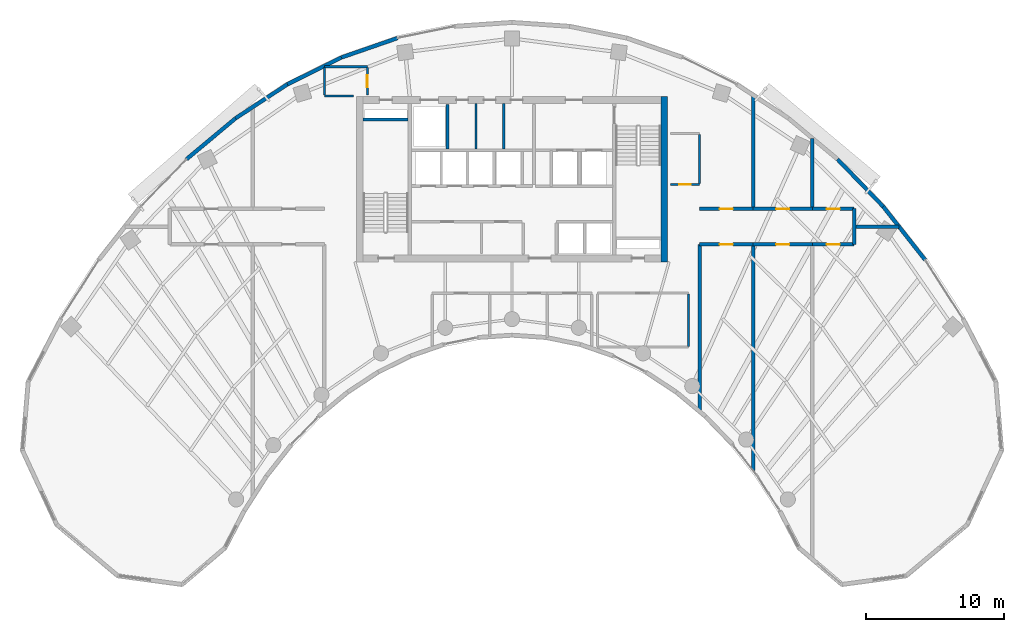
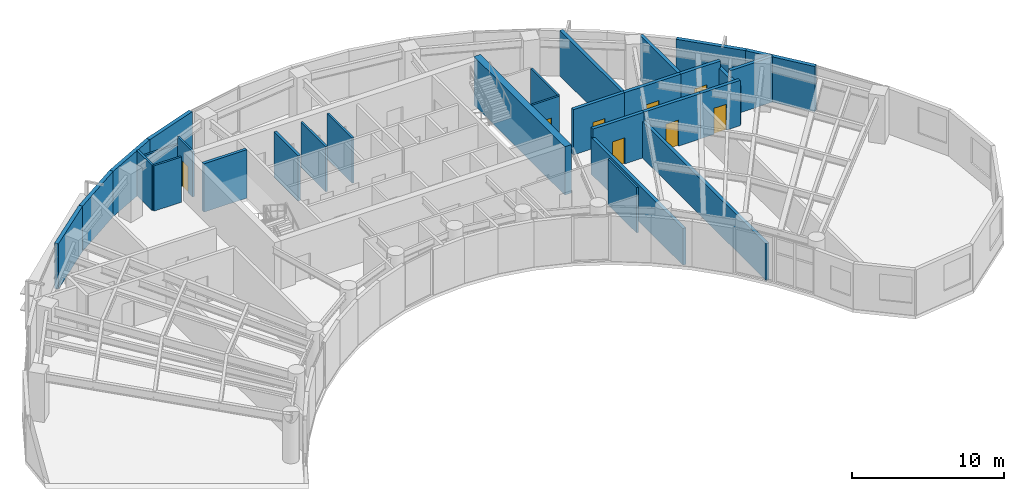
# One storey, part 10 of 14: 30 walls, 8 doors, 8 openings.
"""IFC4 building model written with IfcOpenShell, lengths in metres."""

from ifc_helpers import new_model, si_unit, direction, frame, frame_2d, origin, place, context, subcontext, project, spatial, rectangle, extrude, source, transform, mapped, material, layer, layer_set, type_object, type_shapes, element, fill, save


model = new_model("IFC4")

# Units and contexts
model_context = context("Model", 3, precision=1e-05, world=origin(), true_north=direction((0.0, 1.0)))
body_context = subcontext(model_context, "Body", "Model", "MODEL_VIEW")
ifc_project = project(units=[si_unit("LENGTHUNIT", "METRE"), si_unit("AREAUNIT", "SQUARE_METRE"), si_unit("VOLUMEUNIT", "CUBIC_METRE"), si_unit("PLANEANGLEUNIT", "RADIAN"), si_unit("MASSUNIT", "GRAM", prefix="KILO")], contexts=[model_context])

# Site, building, storey
site_placement = place(None, origin())
site = spatial("IfcSite", under=ifc_project, at=site_placement, CompositionType="ELEMENT")
building_placement = place(site_placement, origin())
building = spatial("IfcBuilding", under=site, at=building_placement, Name="Breltana Convention Tower", CompositionType="ELEMENT")
storey_placement = place(building_placement, frame((0.0, 0.0, 177.89990234375)))
storey = spatial("IfcBuildingStorey", under=building, at=storey_placement, Name="L43", CompositionType="ELEMENT", Elevation=177.89990234375)

# Walls
ifc_material_1 = material(Name="Concrete C60/75", Category="concrete")
ifc_layer_1 = layer(ifc_material_1, 0.5, Name="Concrete C60/75")
ifc_layer_set_1 = layer_set([ifc_layer_1], Name="Concrete C60/75")
wall_type_1 = type_object("IfcWallType", Name="SW-CORE-500", PredefinedType="SHEAR", material=ifc_layer_set_1)
shared_shape_1 = source(origin(), body_context, "Body", "SweptSolid", [
    extrude(rectangle(XDim=12.0, YDim=0.5, at=frame_2d((6.0, 0.0))), origin(), (0.0, 0.0, 1.0), 3.900146484375),
])
wall_1_placement = place(storey_placement, frame((59.050048828125, 60.199951171875, 0.0), z_axis=(0.0, 0.0, 1.0), x_axis=(0.0, 1.0, 0.0)))
element("IfcWall", 1, at=wall_1_placement, inside=storey, type_object=wall_type_1, Name="L43 East Core Shear Wall", PredefinedType="SHEAR", context=body_context, shape_type="MappedRepresentation", body=[
    mapped(shared_shape_1, transform((0.0, 0.0, 0.0), scale=1.0)),
])
ifc_material_2 = material(Name="Concrete C50/60", Category="concrete")
ifc_layer_2 = layer(ifc_material_2, 0.39990234375, Name="Concrete C50/60")
ifc_layer_set_2 = layer_set([ifc_layer_2], Name="Concrete C50/60")
wall_type_2 = type_object("IfcWallType", Name="SW-CORE-400", PredefinedType="SHEAR", material=ifc_layer_set_2)
shared_shape_2 = source(origin(), body_context, "Body", "SweptSolid", [
    extrude(rectangle(XDim=3.27001953125, YDim=0.219970703125, at=frame_2d((1.635009765625, 0.0))), origin(), (0.0, 0.0, 1.0), 3.900146484375),
])
wall_2_placement = place(storey_placement, frame((37.199951171875, 70.510009765625, 0.0), z_axis=(0.0, 0.0, 1.0), x_axis=(1.0, 0.0, 0.0)))
element("IfcWall", 2, at=wall_2_placement, inside=storey, type_object=wall_type_2, Name="L43 ST-1 Stairwell North Bearing Wall", PredefinedType="SHEAR", context=body_context, shape_type="MappedRepresentation", body=[
    mapped(shared_shape_2, transform((0.0, 0.0, 0.0), scale=1.0)),
])
ifc_material_3 = material(Name="Limestone Buff Insulated Wall", Category="masonry")
ifc_layer_3 = layer(ifc_material_3, 0.280029296875, Name="Limestone Buff Insulated Wall")
ifc_layer_set_3 = layer_set([ifc_layer_3], Name="Limestone Buff Insulated Wall")
wall_type_3 = type_object("IfcWallType", Name="WL-EXT-NOSE-280", PredefinedType="SOLIDWALL", material=ifc_layer_set_3)
shared_shape_3 = source(origin(), body_context, "Body", "SweptSolid", [
    extrude(rectangle(XDim=4.921630859375, YDim=0.280029296875, at=frame_2d((2.4609375, 0.0))), origin(), (0.0, 0.0, 1.0), 3.650146484375),
])
wall_3_placement = place(storey_placement, frame((74.936279296875, 64.206298828125, 0.0), z_axis=(0.0, 0.0, 1.0), x_axis=(0.61817639101, -0.786039407153, 0.0)))
element("IfcWall", 3, at=wall_3_placement, inside=storey, type_object=wall_type_3, Name="L43 curved limestone nose wall E32", PredefinedType="SOLIDWALL", context=body_context, shape_type="MappedRepresentation", body=[
    mapped(shared_shape_3, transform((0.0, 0.0, 0.0), scale=1.0)),
])
shared_shape_4 = source(origin(), body_context, "Body", "SweptSolid", [
    extrude(rectangle(XDim=4.77587890625, YDim=0.280029296875, at=frame_2d((2.387939453125, 0.0))), origin(), (0.0, 0.0, 1.0), 3.650146484375),
])
wall_4_placement = place(storey_placement, frame((71.618896484375, 67.64208984375, 0.0), z_axis=(0.0, 0.0, 1.0), x_axis=(0.694601811851, -0.719394414055, 0.0)))
element("IfcWall", 4, at=wall_4_placement, inside=storey, type_object=wall_type_3, Name="L43 curved limestone nose wall E31", PredefinedType="SOLIDWALL", context=body_context, shape_type="MappedRepresentation", body=[
    mapped(shared_shape_4, transform((0.0, 0.0, 0.0), scale=1.0)),
])
shared_shape_5 = source(origin(), body_context, "Body", "SweptSolid", [
    extrude(rectangle(XDim=4.633544921875, YDim=0.280029296875, at=frame_2d((2.31689453125, 0.0))), origin(), (0.0, 0.0, 1.0), 3.650146484375),
])
wall_5_placement = place(storey_placement, frame((24.381103515625, 67.64208984375, 0.0), z_axis=(0.0, 0.0, 1.0), x_axis=(0.767910229096, 0.640557475993, 0.0)))
element("IfcWall", 5, at=wall_5_placement, inside=storey, type_object=wall_type_3, Name="L43 curved limestone nose wall E21", PredefinedType="SOLIDWALL", context=body_context, shape_type="MappedRepresentation", body=[
    mapped(shared_shape_5, transform((0.0, 0.0, 0.0), scale=1.0)),
])
shared_shape_6 = source(origin(), body_context, "Body", "SweptSolid", [
    extrude(rectangle(XDim=4.500732421875, YDim=0.280029296875, at=frame_2d((2.25048828125, 0.0))), origin(), (0.0, 0.0, 1.0), 3.650146484375),
])
wall_6_placement = place(storey_placement, frame((27.939208984375, 70.610107421875, 0.0), z_axis=(0.0, 0.0, 1.0), x_axis=(0.835984920737, 0.548752414391, 0.0)))
element("IfcWall", 6, at=wall_6_placement, inside=storey, type_object=wall_type_3, Name="L43 curved limestone nose wall E22", PredefinedType="SOLIDWALL", context=body_context, shape_type="MappedRepresentation", body=[
    mapped(shared_shape_6, transform((0.0, 0.0, 0.0), scale=1.0)),
])
shared_shape_7 = source(origin(), body_context, "Body", "SweptSolid", [
    extrude(rectangle(XDim=4.289794921875, YDim=0.280029296875, at=frame_2d((2.14501953125, 0.0))), origin(), (0.0, 0.0, 1.0), 3.650146484375),
])
wall_7_placement = place(storey_placement, frame((35.629638671875, 75.02685546875, 0.0), z_axis=(0.0, 0.0, 1.0), x_axis=(0.944883859218, 0.3274057003, 0.0)))
element("IfcWall", 7, at=wall_7_placement, inside=storey, type_object=wall_type_3, Name="L43 curved limestone nose wall E24", PredefinedType="SOLIDWALL", context=body_context, shape_type="MappedRepresentation", body=[
    mapped(shared_shape_7, transform((0.0, 0.0, 0.0), scale=1.0)),
])
shared_shape_8 = source(origin(), body_context, "Body", "SweptSolid", [
    extrude(rectangle(XDim=4.384033203125, YDim=0.280029296875, at=frame_2d((2.19189453125, 0.0))), origin(), (0.0, 0.0, 1.0), 3.650146484375),
])
wall_8_placement = place(storey_placement, frame((31.70166015625, 73.079833984375, 0.0), z_axis=(0.0, 0.0, 1.0), x_axis=(0.895969968053, 0.444114643248, 0.0)))
element("IfcWall", 8, at=wall_8_placement, inside=storey, type_object=wall_type_3, Name="L43 curved limestone nose wall E23", PredefinedType="SOLIDWALL", context=body_context, shape_type="MappedRepresentation", body=[
    mapped(shared_shape_8, transform((0.0, 0.0, 0.0), scale=1.0)),
])
ifc_material_4 = material(Name="Autoclaved Aerated Concrete Block", Category="concrete")
ifc_layer_4 = layer(ifc_material_4, 0.199951171875, Name="Autoclaved Aerated Concrete Block")
ifc_layer_set_4 = layer_set([ifc_layer_4], Name="Autoclaved Aerated Concrete Block")
wall_type_4 = type_object("IfcWallType", Name="WL-SHAFT-200", PredefinedType="SOLIDWALL", material=ifc_layer_set_4)
shared_shape_9 = source(origin(), body_context, "Body", "SweptSolid", [
    extrude(rectangle(XDim=3.2001953125, YDim=0.199951171875, at=frame_2d((1.60009765625, 0.0))), origin(), (0.0, 0.0, 1.0), 3.650146484375),
])
wall_9_placement = place(storey_placement, frame((43.320068359375, 68.39990234375, 0.0), z_axis=(0.0, 0.0, 1.0), x_axis=(0.0, 1.0, 0.0)))
element("IfcWall", 9, at=wall_9_placement, inside=storey, type_object=wall_type_4, Name="L43 interior partition W-L43-SV-E", PredefinedType="SOLIDWALL", context=body_context, shape_type="MappedRepresentation", body=[
    mapped(shared_shape_9, transform((0.0, 0.0, 0.0), scale=1.0)),
])
ifc_material_5 = material(Name="Gypsum Acoustic Drywall Partition")
ifc_layer_5 = layer(ifc_material_5, 0.14990234375, Name="Gypsum Acoustic Drywall Partition")
ifc_layer_set_5 = layer_set([ifc_layer_5], Name="Gypsum Acoustic Drywall Partition")
wall_type_5 = type_object("IfcWallType", Name="WL-PART-150", PredefinedType="PARTITIONING", material=ifc_layer_set_5)
shared_shape_10 = source(origin(), body_context, "Body", "SweptSolid", [
    extrude(rectangle(XDim=3.78515625, YDim=0.14990234375, at=frame_2d((1.892578125, 0.0))), origin(), (0.0, 0.0, 1.0), 3.650146484375),
])
wall_10_placement = place(storey_placement, frame((60.800048828125, 54.0673828125, 0.0), z_axis=(0.0, 0.0, 1.0), x_axis=(0.0, 1.0, 0.0)))
element("IfcWall", 10, at=wall_10_placement, inside=storey, type_object=wall_type_5, Name="L43 interior partition W-L43-PNT-E", PredefinedType="PARTITIONING", context=body_context, shape_type="MappedRepresentation", body=[
    mapped(shared_shape_10, transform((0.0, 0.0, 0.0), scale=1.0)),
])
shared_shape_11 = source(origin(), body_context, "Body", "SweptSolid", [
    extrude(rectangle(XDim=3.280029296875, YDim=0.14990234375, at=frame_2d((1.64013671875, 0.0))), origin(), (0.0, 0.0, 1.0), 3.650146484375),
])
for number, where, z_axis, x_axis, name in (
    (11, (45.39990234375, 68.39990234375, 0.0), (0.0, 0.0, 1.0), (0.0, 1.0, 0.0), "L43 interior partition W-L43-KV-1"),
    (12, (47.39990234375, 68.39990234375, 0.0), (0.0, 0.0, 1.0), (0.0, 1.0, 0.0), "L43 interior partition W-L43-KV-2"),
):
    element("IfcWall", number, at=place(storey_placement, frame(where, z_axis=z_axis, x_axis=x_axis)), inside=storey, type_object=wall_type_5, Name=name, PredefinedType="PARTITIONING", context=body_context, shape_type="MappedRepresentation", body=[
        mapped(shared_shape_11, transform((0.0, 0.0, 0.0), scale=1.0)),
    ])
shared_shape_12 = source(origin(), body_context, "Body", "SweptSolid", [
    extrude(rectangle(XDim=2.10009765625, YDim=0.14990234375, at=frame_2d((1.050048828125, 0.0))), origin(), (0.0, 0.0, 1.0), 3.650146484375),
])
wall_11_placement = place(storey_placement, frame((34.39990234375, 72.219970703125, 0.0), z_axis=(0.0, 0.0, 1.0), x_axis=(1.0, 0.0, 0.0)))
element("IfcWall", 13, at=wall_11_placement, inside=storey, type_object=wall_type_5, Name="L43 interior partition W-L43-CRNE-S", PredefinedType="PARTITIONING", context=body_context, shape_type="MappedRepresentation", body=[
    mapped(shared_shape_12, transform((0.0, 0.0, 0.0), scale=1.0)),
])

# Wall, opening, door
wall_12_placement = place(storey_placement, frame((59.5, 65.800048828125, 0.0), z_axis=(0.0, 0.0, 1.0), x_axis=(1.0, 0.0, 0.0)))
wall_12 = element("IfcWall", 14, at=wall_12_placement, inside=storey, type_object=wall_type_5, Name="L43 interior partition W-L43-CRSE-S", PredefinedType="PARTITIONING", context=body_context, shape_type="MappedRepresentation", body=[
    mapped(shared_shape_12, transform((0.0, 0.0, 0.0), scale=1.0)),
])
opening_1_placement = place(wall_12_placement, frame((0.625, 0.0, 0.0)))
opening_1 = element("IfcOpeningElement", 15, at=opening_1_placement, cuts=wall_12, Name="Opening D-20", PredefinedType="OPENING", context=body_context, shape_type="SweptSolid", body=[
    extrude(rectangle(XDim=0.85009765625, YDim=2.10009765625, at=frame_2d((0.425048828125, 1.050048828125))), frame((0.0, 0.0849609375, 0.0), z_axis=(0.0, -1.0, 0.0), x_axis=(1.0, 0.0, 0.0)), (0.0, 0.0, 1.0), 0.169921875),
])
ifc_material_6 = material(Name="Steel Closet Fire Door", Category="steel")
door_type_1 = type_object("IfcDoorType", Name="DR-FD60-850", OperationType="NOTDEFINED", PredefinedType="DOOR", material=ifc_material_6)
shared_shape_13 = source(origin(), body_context, "Body", "SweptSolid", [
    extrude(rectangle(XDim=0.85009765625, YDim=2.10009765625, at=frame_2d((0.425048828125, 1.050048828125))), frame((0.0, 0.02490234375, 0.0), z_axis=(0.0, -1.0, 0.0), x_axis=(1.0, 0.0, 0.0)), (0.0, 0.0, 1.0), 0.050048828125),
])
type_shapes(door_type_1, [shared_shape_13])
door_1_placement = place(opening_1_placement, origin())
door_1 = element("IfcDoor", 16, at=door_1_placement, inside=storey, type_object=door_type_1, Name="L43 interior door D-L43-CRSE", OperationType="SINGLE_SWING_LEFT", OverallHeight=2.10009765625, OverallWidth=0.85009765625, PredefinedType="DOOR", context=body_context, shape_type="MappedRepresentation", body=[
    mapped(shared_shape_13, transform((0.0, 0.0, 0.0), scale=1.0)),
])
fill(opening_1, door_1)

# Wall
shared_shape_14 = source(origin(), body_context, "Body", "SweptSolid", [
    extrude(rectangle(XDim=1.994873046875, YDim=0.14990234375, at=frame_2d((0.99755859375, 0.0))), origin(), (0.0, 0.0, 1.0), 3.650146484375),
])
wall_13_placement = place(storey_placement, frame((34.39990234375, 72.28759765625, 0.0), z_axis=(0.0, 0.0, 1.0), x_axis=(0.0, 1.0, 0.0)))
element("IfcWall", 17, at=wall_13_placement, inside=storey, type_object=wall_type_5, Name="L43 interior partition W-L43-CRNE-W", PredefinedType="PARTITIONING", context=body_context, shape_type="MappedRepresentation", body=[
    mapped(shared_shape_14, transform((0.0, 0.0, 0.0), scale=1.0)),
])

# Wall, opening, door
shared_shape_15 = source(origin(), body_context, "Body", "SweptSolid", [
    extrude(rectangle(XDim=1.982421875, YDim=0.14990234375, at=frame_2d((0.9912109375, 0.0))), origin(), (0.0, 0.0, 1.0), 3.650146484375),
])
wall_14_placement = place(storey_placement, frame((37.5, 72.300048828125, 0.0), z_axis=(0.0, 0.0, 1.0), x_axis=(0.0, 1.0, 0.0)))
wall_14 = element("IfcWall", 18, at=wall_14_placement, inside=storey, type_object=wall_type_5, Name="L43 interior partition W-L43-CRNE-E", PredefinedType="PARTITIONING", context=body_context, shape_type="MappedRepresentation", body=[
    mapped(shared_shape_15, transform((0.0, 0.0, 0.0), scale=1.0)),
])
opening_2_placement = place(wall_14_placement, frame((0.56640625, 0.0, 0.0)))
opening_2 = element("IfcOpeningElement", 19, at=opening_2_placement, cuts=wall_14, Name="Opening D-20", PredefinedType="OPENING", context=body_context, shape_type="SweptSolid", body=[
    extrude(rectangle(XDim=0.85009765625, YDim=2.10009765625, at=frame_2d((0.425048828125, 1.050048828125))), frame((0.0, 0.0849609375, 0.0), z_axis=(0.0, -1.0, 0.0), x_axis=(1.0, 0.0, 0.0)), (0.0, 0.0, 1.0), 0.169921875),
])
door_2_placement = place(opening_2_placement, origin())
door_2 = element("IfcDoor", 20, at=door_2_placement, inside=storey, type_object=door_type_1, Name="L43 interior door D-L43-CRNE", OperationType="SINGLE_SWING_RIGHT", OverallHeight=2.10009765625, OverallWidth=0.85009765625, PredefinedType="DOOR", context=body_context, shape_type="MappedRepresentation", body=[
    mapped(shared_shape_13, transform((0.0, 0.0, 0.0), scale=1.0)),
])
fill(opening_2, door_2)

# Walls
shared_shape_16 = source(origin(), body_context, "Body", "SweptSolid", [
    extrude(rectangle(XDim=3.565185546875, YDim=0.14990234375, at=frame_2d((1.78271484375, 0.0))), origin(), (0.0, 0.0, 1.0), 3.650146484375),
])
wall_15_placement = place(storey_placement, frame((61.60009765625, 65.867431640625, 0.0), z_axis=(0.0, 0.0, 1.0), x_axis=(0.0, 1.0, 0.0)))
element("IfcWall", 21, at=wall_15_placement, inside=storey, type_object=wall_type_5, Name="L43 interior partition W-L43-CRSE-E", PredefinedType="PARTITIONING", context=body_context, shape_type="MappedRepresentation", body=[
    mapped(shared_shape_16, transform((0.0, 0.0, 0.0), scale=1.0)),
])
shared_shape_17 = source(origin(), body_context, "Body", "SweptSolid", [
    extrude(rectangle(XDim=3.10009765625, YDim=0.14990234375, at=frame_2d((1.550048828125, 0.0))), origin(), (0.0, 0.0, 1.0), 3.022216796875),
])
wall_16_placement = place(storey_placement, frame((34.39990234375, 74.35009765625, 0.0), z_axis=(0.0, 0.0, 1.0), x_axis=(1.0, 0.0, 0.0)))
element("IfcWall", 22, at=wall_16_placement, inside=storey, type_object=wall_type_5, Name="L43 interior partition W-L43-CRNE-N", PredefinedType="PARTITIONING", context=body_context, shape_type="MappedRepresentation", body=[
    mapped(shared_shape_17, transform((0.0, 0.0, 0.0), scale=1.0)),
])

# Wall, opening, door
ifc_material_7 = material(Name="Gypsum Acoustic Double Stud Wall")
ifc_layer_6 = layer(ifc_material_7, 0.25, Name="Gypsum Acoustic Double Stud Wall")
ifc_layer_set_6 = layer_set([ifc_layer_6], Name="Gypsum Acoustic Double Stud Wall")
wall_type_6 = type_object("IfcWallType", Name="WL-ACOUSTIC-250", PredefinedType="PARTITIONING", material=ifc_layer_set_6)
shared_shape_18 = source(origin(), body_context, "Body", "SweptSolid", [
    extrude(rectangle(XDim=3.89990234375, YDim=0.25, at=frame_2d((1.949951171875, 0.0))), origin(), (0.0, 0.0, 1.0), 3.650146484375),
])
wall_17_placement = place(storey_placement, frame((61.60009765625, 64.0400390625, 0.0), z_axis=(0.0, 0.0, 1.0), x_axis=(1.0, 0.0, 0.0)))
wall_17 = element("IfcWall", 23, at=wall_17_placement, inside=storey, type_object=wall_type_6, Name="L43 interior partition W-L43-ZEN1-D", PredefinedType="PARTITIONING", context=body_context, shape_type="MappedRepresentation", body=[
    mapped(shared_shape_18, transform((0.0, 0.0, 0.0), scale=1.0)),
])
opening_3_placement = place(wall_17_placement, frame((1.47509765625, 0.0, 0.0)))
opening_3 = element("IfcOpeningElement", 24, at=opening_3_placement, cuts=wall_17, Name="Opening D-17", PredefinedType="OPENING", context=body_context, shape_type="SweptSolid", body=[
    extrude(rectangle(XDim=0.949951171875, YDim=2.10009765625, at=frame_2d((0.47509765625, 1.050048828125))), frame((0.0, 0.135009765625, 0.0), z_axis=(0.0, -1.0, 0.0), x_axis=(1.0, 0.0, 0.0)), (0.0, 0.0, 1.0), 0.27001953125),
])
ifc_material_8 = material(Name="Timber Oak Veneer Door", Category="wood")
door_type_2 = type_object("IfcDoorType", Name="DR-INT-950", OperationType="NOTDEFINED", PredefinedType="DOOR", material=ifc_material_8)
shared_shape_19 = source(origin(), body_context, "Body", "SweptSolid", [
    extrude(rectangle(XDim=0.949951171875, YDim=2.10009765625, at=frame_2d((0.47509765625, 1.050048828125))), frame((0.0, 0.02490234375, 0.0), z_axis=(0.0, -1.0, 0.0), x_axis=(1.0, 0.0, 0.0)), (0.0, 0.0, 1.0), 0.050048828125),
])
type_shapes(door_type_2, [shared_shape_19])
door_3_placement = place(opening_3_placement, origin())
door_3 = element("IfcDoor", 25, at=door_3_placement, inside=storey, type_object=door_type_2, Name="L43 interior door D-L43-ZEN1", OperationType="SINGLE_SWING_RIGHT", OverallHeight=2.10009765625, OverallWidth=0.949951171875, PredefinedType="DOOR", context=body_context, shape_type="MappedRepresentation", body=[
    mapped(shared_shape_19, transform((0.0, 0.0, 0.0), scale=1.0)),
])
fill(opening_3, door_3)

wall_18_placement = place(storey_placement, frame((61.60009765625, 61.4599609375, 0.0), z_axis=(0.0, 0.0, 1.0), x_axis=(1.0, 0.0, 0.0)))
wall_18 = element("IfcWall", 26, at=wall_18_placement, inside=storey, type_object=wall_type_6, Name="L43 interior partition W-L43-ZES1-D", PredefinedType="PARTITIONING", context=body_context, shape_type="MappedRepresentation", body=[
    mapped(shared_shape_18, transform((0.0, 0.0, 0.0), scale=1.0)),
])
opening_4_placement = place(wall_18_placement, frame((1.47509765625, 0.0, 0.0)))
opening_4 = element("IfcOpeningElement", 27, at=opening_4_placement, cuts=wall_18, Name="Opening D-17", PredefinedType="OPENING", context=body_context, shape_type="SweptSolid", body=[
    extrude(rectangle(XDim=0.949951171875, YDim=2.10009765625, at=frame_2d((0.47509765625, 1.050048828125))), frame((0.0, 0.135009765625, 0.0), z_axis=(0.0, -1.0, 0.0), x_axis=(1.0, 0.0, 0.0)), (0.0, 0.0, 1.0), 0.27001953125),
])
door_4_placement = place(opening_4_placement, origin())
door_4 = element("IfcDoor", 28, at=door_4_placement, inside=storey, type_object=door_type_2, Name="L43 interior door D-L43-ZES1", OperationType="SINGLE_SWING_LEFT", OverallHeight=2.10009765625, OverallWidth=0.949951171875, PredefinedType="DOOR", context=body_context, shape_type="MappedRepresentation", body=[
    mapped(shared_shape_19, transform((0.0, 0.0, 0.0), scale=1.0)),
])
fill(opening_4, door_4)

# Wall
shared_shape_20 = source(origin(), body_context, "Body", "SweptSolid", [
    extrude(rectangle(XDim=8.218994140625, YDim=0.25, at=frame_2d((4.109375, 0.0))), origin(), (0.0, 0.0, 1.0), 3.650146484375),
])
wall_19_placement = place(storey_placement, frame((65.5, 64.06005859375, 0.0), z_axis=(0.0, 0.0, 1.0), x_axis=(0.0, 1.0, 0.0)))
element("IfcWall", 29, at=wall_19_placement, inside=storey, type_object=wall_type_6, Name="L43 interior partition W-L43-ZEN1-E", PredefinedType="PARTITIONING", context=body_context, shape_type="MappedRepresentation", body=[
    mapped(shared_shape_20, transform((0.0, 0.0, 0.0), scale=1.0)),
])

# Wall, opening, door
shared_shape_21 = source(origin(), body_context, "Body", "SweptSolid", [
    extrude(rectangle(XDim=4.300048828125, YDim=0.25, at=frame_2d((2.14990234375, 0.0))), origin(), (0.0, 0.0, 1.0), 3.650146484375),
])
wall_20_placement = place(storey_placement, frame((65.5, 64.0400390625, 0.0), z_axis=(0.0, 0.0, 1.0), x_axis=(1.0, 0.0, 0.0)))
wall_20 = element("IfcWall", 30, at=wall_20_placement, inside=storey, type_object=wall_type_6, Name="L43 interior partition W-L43-ZEN2-D", PredefinedType="PARTITIONING", context=body_context, shape_type="MappedRepresentation", body=[
    mapped(shared_shape_21, transform((0.0, 0.0, 0.0), scale=1.0)),
])
opening_5_placement = place(wall_20_placement, frame((1.675048828125, 0.0, 0.0)))
opening_5 = element("IfcOpeningElement", 31, at=opening_5_placement, cuts=wall_20, Name="Opening D-17", PredefinedType="OPENING", context=body_context, shape_type="SweptSolid", body=[
    extrude(rectangle(XDim=0.949951171875, YDim=2.10009765625, at=frame_2d((0.47509765625, 1.050048828125))), frame((0.0, 0.135009765625, 0.0), z_axis=(0.0, -1.0, 0.0), x_axis=(1.0, 0.0, 0.0)), (0.0, 0.0, 1.0), 0.27001953125),
])
door_5_placement = place(opening_5_placement, origin())
door_5 = element("IfcDoor", 32, at=door_5_placement, inside=storey, type_object=door_type_2, Name="L43 interior door D-L43-ZEN2", OperationType="SINGLE_SWING_LEFT", OverallHeight=2.10009765625, OverallWidth=0.949951171875, PredefinedType="DOOR", context=body_context, shape_type="MappedRepresentation", body=[
    mapped(shared_shape_19, transform((0.0, 0.0, 0.0), scale=1.0)),
])
fill(opening_5, door_5)

wall_21_placement = place(storey_placement, frame((65.5, 61.4599609375, 0.0), z_axis=(0.0, 0.0, 1.0), x_axis=(1.0, 0.0, 0.0)))
wall_21 = element("IfcWall", 33, at=wall_21_placement, inside=storey, type_object=wall_type_6, Name="L43 interior partition W-L43-ZES2-D", PredefinedType="PARTITIONING", context=body_context, shape_type="MappedRepresentation", body=[
    mapped(shared_shape_21, transform((0.0, 0.0, 0.0), scale=1.0)),
])
opening_6_placement = place(wall_21_placement, frame((1.675048828125, 0.0, 0.0)))
opening_6 = element("IfcOpeningElement", 34, at=opening_6_placement, cuts=wall_21, Name="Opening D-17", PredefinedType="OPENING", context=body_context, shape_type="SweptSolid", body=[
    extrude(rectangle(XDim=0.949951171875, YDim=2.10009765625, at=frame_2d((0.47509765625, 1.050048828125))), frame((0.0, 0.135009765625, 0.0), z_axis=(0.0, -1.0, 0.0), x_axis=(1.0, 0.0, 0.0)), (0.0, 0.0, 1.0), 0.27001953125),
])
door_6_placement = place(opening_6_placement, origin())
door_6 = element("IfcDoor", 35, at=door_6_placement, inside=storey, type_object=door_type_2, Name="L43 interior door D-L43-ZES2", OperationType="SINGLE_SWING_RIGHT", OverallHeight=2.10009765625, OverallWidth=0.949951171875, PredefinedType="DOOR", context=body_context, shape_type="MappedRepresentation", body=[
    mapped(shared_shape_19, transform((0.0, 0.0, 0.0), scale=1.0)),
])
fill(opening_6, door_6)

# Wall
shared_shape_22 = source(origin(), body_context, "Body", "SweptSolid", [
    extrude(rectangle(XDim=5.086181640625, YDim=0.25, at=frame_2d((2.54296875, 0.0))), origin(), (0.0, 0.0, 1.0), 3.650146484375),
])
wall_22_placement = place(storey_placement, frame((69.800048828125, 64.06005859375, 0.0), z_axis=(0.0, 0.0, 1.0), x_axis=(0.0, 1.0, 0.0)))
element("IfcWall", 36, at=wall_22_placement, inside=storey, type_object=wall_type_6, Name="L43 interior partition W-L43-ZEN2-E", PredefinedType="PARTITIONING", context=body_context, shape_type="MappedRepresentation", body=[
    mapped(shared_shape_22, transform((0.0, 0.0, 0.0), scale=1.0)),
])

# Wall, opening, door
shared_shape_23 = source(origin(), body_context, "Body", "SweptSolid", [
    extrude(rectangle(XDim=3.02001953125, YDim=0.25, at=frame_2d((1.510009765625, 0.0))), origin(), (0.0, 0.0, 1.0), 3.650146484375),
])
wall_23_placement = place(storey_placement, frame((69.800048828125, 64.0400390625, 0.0), z_axis=(0.0, 0.0, 1.0), x_axis=(1.0, 0.0, 0.0)))
wall_23 = element("IfcWall", 37, at=wall_23_placement, inside=storey, type_object=wall_type_6, Name="L43 interior partition W-L43-ZEN3-D", PredefinedType="PARTITIONING", context=body_context, shape_type="MappedRepresentation", body=[
    mapped(shared_shape_23, transform((0.0, 0.0, 0.0), scale=1.0)),
])
opening_7_placement = place(wall_23_placement, frame((1.034912109375, 0.0, 0.0)))
opening_7 = element("IfcOpeningElement", 38, at=opening_7_placement, cuts=wall_23, Name="Opening D-17", PredefinedType="OPENING", context=body_context, shape_type="SweptSolid", body=[
    extrude(rectangle(XDim=0.949951171875, YDim=2.10009765625, at=frame_2d((0.47509765625, 1.050048828125))), frame((0.0, 0.135009765625, 0.0), z_axis=(0.0, -1.0, 0.0), x_axis=(1.0, 0.0, 0.0)), (0.0, 0.0, 1.0), 0.27001953125),
])
door_7_placement = place(opening_7_placement, origin())
door_7 = element("IfcDoor", 39, at=door_7_placement, inside=storey, type_object=door_type_2, Name="L43 interior door D-L43-ZEN3", OperationType="SINGLE_SWING_RIGHT", OverallHeight=2.10009765625, OverallWidth=0.949951171875, PredefinedType="DOOR", context=body_context, shape_type="MappedRepresentation", body=[
    mapped(shared_shape_19, transform((0.0, 0.0, 0.0), scale=1.0)),
])
fill(opening_7, door_7)

wall_24_placement = place(storey_placement, frame((69.800048828125, 61.4599609375, 0.0), z_axis=(0.0, 0.0, 1.0), x_axis=(1.0, 0.0, 0.0)))
wall_24 = element("IfcWall", 40, at=wall_24_placement, inside=storey, type_object=wall_type_6, Name="L43 interior partition W-L43-ZES3-D", PredefinedType="PARTITIONING", context=body_context, shape_type="MappedRepresentation", body=[
    mapped(shared_shape_23, transform((0.0, 0.0, 0.0), scale=1.0)),
])
opening_8_placement = place(wall_24_placement, frame((1.034912109375, 0.0, 0.0)))
opening_8 = element("IfcOpeningElement", 41, at=opening_8_placement, cuts=wall_24, Name="Opening D-17", PredefinedType="OPENING", context=body_context, shape_type="SweptSolid", body=[
    extrude(rectangle(XDim=0.949951171875, YDim=2.10009765625, at=frame_2d((0.47509765625, 1.050048828125))), frame((0.0, 0.135009765625, 0.0), z_axis=(0.0, -1.0, 0.0), x_axis=(1.0, 0.0, 0.0)), (0.0, 0.0, 1.0), 0.27001953125),
])
door_8_placement = place(opening_8_placement, origin())
door_8 = element("IfcDoor", 42, at=door_8_placement, inside=storey, type_object=door_type_2, Name="L43 interior door D-L43-ZES3", OperationType="SINGLE_SWING_LEFT", OverallHeight=2.10009765625, OverallWidth=0.949951171875, PredefinedType="DOOR", context=body_context, shape_type="MappedRepresentation", body=[
    mapped(shared_shape_19, transform((0.0, 0.0, 0.0), scale=1.0)),
])
fill(opening_8, door_8)

# Walls
shared_shape_24 = source(origin(), body_context, "Body", "SweptSolid", [
    extrude(rectangle(XDim=16.368896484375, YDim=0.25, at=frame_2d((8.1845703125, 0.0))), origin(), (0.0, 0.0, 1.0), 2.942138671875),
])
wall_25_placement = place(storey_placement, frame((65.5, 45.071044921875, 0.0), z_axis=(0.0, 0.0, 1.0), x_axis=(0.0, 1.0, 0.0)))
element("IfcWall", 43, at=wall_25_placement, inside=storey, type_object=wall_type_6, Name="L43 interior partition W-L43-ZES1-E", PredefinedType="PARTITIONING", context=body_context, shape_type="MappedRepresentation", body=[
    mapped(shared_shape_24, transform((0.0, 0.0, 0.0), scale=1.0)),
])
shared_shape_25 = source(origin(), body_context, "Body", "SweptSolid", [
    extrude(rectangle(XDim=12.126220703125, YDim=0.25, at=frame_2d((6.06298828125, 0.0))), origin(), (0.0, 0.0, 1.0), 2.942138671875),
])
wall_26_placement = place(storey_placement, frame((61.639892578125, 49.333740234375, 0.0), z_axis=(0.0, 0.0, 1.0), x_axis=(0.0, 1.0, 0.0)))
element("IfcWall", 44, at=wall_26_placement, inside=storey, type_object=wall_type_6, Name="L43 interior partition W-L43-ZODD-EC", PredefinedType="PARTITIONING", context=body_context, shape_type="MappedRepresentation", body=[
    mapped(shared_shape_25, transform((0.0, 0.0, 0.0), scale=1.0)),
])
shared_shape_26 = source(origin(), body_context, "Body", "SweptSolid", [
    extrude(rectangle(XDim=3.248779296875, YDim=0.25, at=frame_2d((1.62451171875, 0.0))), origin(), (0.0, 0.0, 1.0), 3.650146484375),
])
wall_27_placement = place(storey_placement, frame((72.820068359375, 62.75, 0.0), z_axis=(0.0, 0.0, 1.0), x_axis=(1.0, 0.0, 0.0)))
element("IfcWall", 45, at=wall_27_placement, inside=storey, type_object=wall_type_6, Name="L43 interior partition W-L43-ZFE-EXT", PredefinedType="PARTITIONING", context=body_context, shape_type="MappedRepresentation", body=[
    mapped(shared_shape_26, transform((0.0, 0.0, 0.0), scale=1.0)),
])
shared_shape_27 = source(origin(), body_context, "Body", "SweptSolid", [
    extrude(rectangle(XDim=2.6201171875, YDim=0.25, at=frame_2d((1.31005859375, 0.0))), origin(), (0.0, 0.0, 1.0), 3.093017578125),
])
wall_28_placement = place(storey_placement, frame((72.820068359375, 61.43994140625, 0.0), z_axis=(0.0, 0.0, 1.0), x_axis=(0.0, 1.0, 0.0)))
element("IfcWall", 46, at=wall_28_placement, inside=storey, type_object=wall_type_6, Name="L43 interior partition W-L43-ZFE-CAP", PredefinedType="PARTITIONING", context=body_context, shape_type="MappedRepresentation", body=[
    mapped(shared_shape_27, transform((0.0, 0.0, 0.0), scale=1.0)),
])

save(model, "model.ifc")
